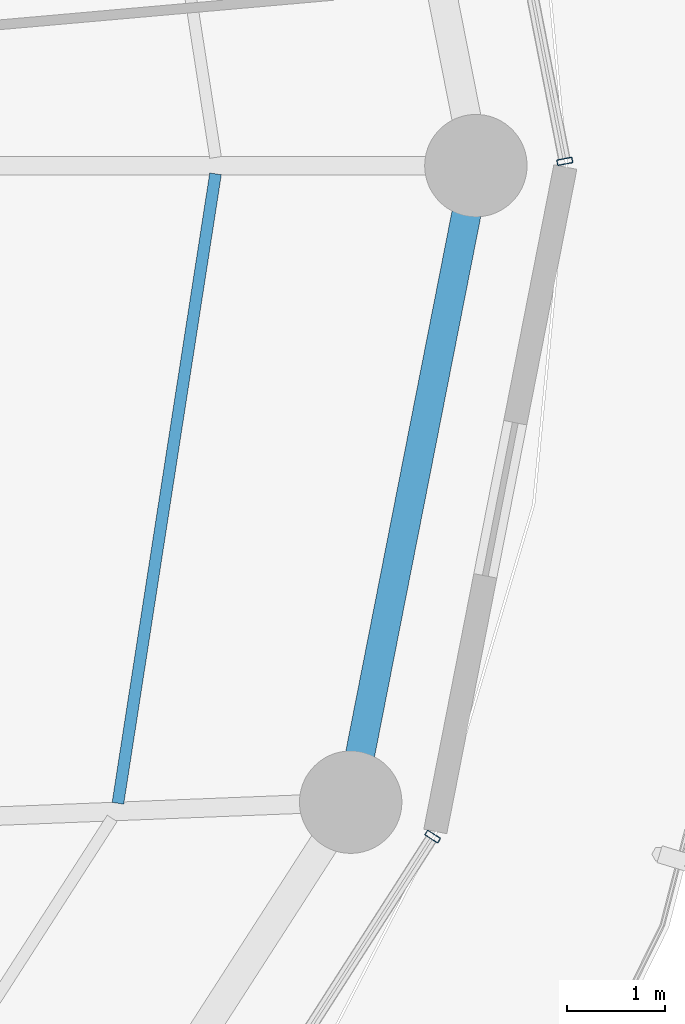
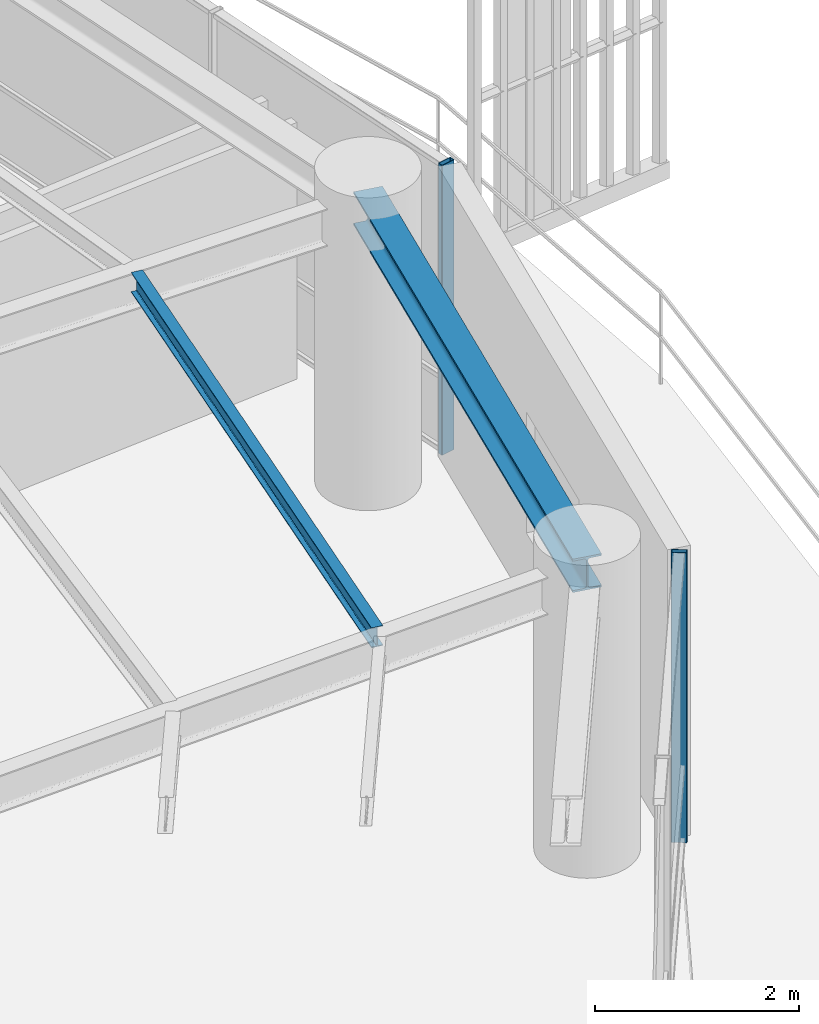
# One storey, part 13 of 30: 2 beams, 2 members, 2 elements without a shape of their own.
"""IFC4 building model written with IfcOpenShell, lengths in metres."""

from ifc_helpers import new_model, si_unit, direction, frame, origin, origin_2d, place, context, subcontext, project, spatial, hollow_rectangle, i_section, extrude, material, layer, layer_set, material_profile, profile_set, type_object, element, aggregate, save


model = new_model("IFC4")

# Units and contexts
model_context = context("Model", 3, precision=1e-05, world=origin(), true_north=direction((0.0, 1.0)))
body_context = subcontext(model_context, "Body", "Model", "MODEL_VIEW")
ifc_project = project(units=[si_unit("LENGTHUNIT", "METRE"), si_unit("AREAUNIT", "SQUARE_METRE"), si_unit("VOLUMEUNIT", "CUBIC_METRE"), si_unit("PLANEANGLEUNIT", "RADIAN"), si_unit("MASSUNIT", "GRAM", prefix="KILO")], contexts=[model_context])

# Site, building, storey
site_placement = place(None, origin())
site = spatial("IfcSite", under=ifc_project, at=site_placement, CompositionType="ELEMENT")
building_placement = place(site_placement, origin())
building = spatial("IfcBuilding", under=site, at=building_placement, Name="Kelanora Arch Commons", CompositionType="ELEMENT")
storey_placement = place(building_placement, frame((0.0, 0.0, 234.449951171875)))
storey = spatial("IfcBuildingStorey", under=building, at=storey_placement, Name="L60", CompositionType="ELEMENT", Elevation=234.449951171875)

# Beams
ifc_material_1 = material(Name="Steel S355", Category="steel")
ifc_material_profile_1 = material_profile(ifc_material_1, i_section(OverallWidth=0.1201171875, OverallDepth=0.239990234375, WebThickness=0.006103515625, FlangeThickness=0.009765625, FilletRadius=0.014892578125, at=origin_2d()), Name="IPE240")
ifc_profile_set_1 = profile_set([ifc_material_profile_1], Name="Steel S355")
beam_type_1 = type_object("IfcBeamType", Name="BM-JST-02", PredefinedType="JOIST", material=ifc_profile_set_1)
beam_1_placement = place(storey_placement, frame((91.6103515625, 51.46337890625, 3.3701171875), z_axis=(0.153256756152, 0.988186402808, 0.0), x_axis=(-0.988186402808, 0.153256756152, 0.0)))
element("IfcBeam", 1, at=beam_1_placement, inside=storey, type_object=beam_type_1, Name="Secondary Chord Joist BJC-34 L60", PredefinedType="JOIST", context=body_context, shape_type="SweptSolid", body=[
    extrude(i_section(OverallWidth=0.1201171875, OverallDepth=0.239990234375, WebThickness=0.006103515625, FlangeThickness=0.009765625, FilletRadius=0.014892578125, at=origin_2d()), origin(), (0.0, 0.0, 1.0), 6.52978515625),
])
ifc_material_profile_2 = material_profile(ifc_material_1, i_section(OverallWidth=0.300048828125, OverallDepth=0.39990234375, WebThickness=0.013427734375, FlangeThickness=0.02392578125, FilletRadius=0.027099609375, at=origin_2d()), Name="HEB400")
ifc_profile_set_2 = profile_set([ifc_material_profile_2], Name="Steel S355")
beam_type_2 = type_object("IfcBeamType", Name="BM-SPN-Z4", PredefinedType="SPANDREL", material=ifc_profile_set_2)
beam_2_placement = place(storey_placement, frame((93.99658203125, 51.474365234375, 3.2900390625), z_axis=(0.192980724826, 0.981202547819, 0.0), x_axis=(-0.981202547819, 0.192980724826, 0.0)))
element("IfcBeam", 2, at=beam_2_placement, inside=storey, type_object=beam_type_2, Name="Perimeter Spandrel Beam BS-34 L60", PredefinedType="SPANDREL", context=body_context, shape_type="SweptSolid", body=[
    extrude(i_section(OverallWidth=0.300048828125, OverallDepth=0.39990234375, WebThickness=0.013427734375, FlangeThickness=0.02392578125, FilletRadius=0.027099609375, at=origin_2d()), origin(), (0.0, 0.0, 1.0), 6.650634765625),
])

# Curtain wall, member
ifc_material_2 = material(Name="Terracotta ceramic-fritted low-E glass and aluminium", Category="masonry")
ifc_layer = layer(ifc_material_2, 0.175048828125)
ifc_layer_set = layer_set([ifc_layer], Name="Terracotta ceramic-fritted low-E glass and aluminium")
curtain_wall_type = type_object("IfcCurtainWallType", Name="CW-SYS-02", PredefinedType="NOTDEFINED", material=ifc_layer_set)
curtain_wall_1_placement = place(storey_placement, origin())
curtain_wall_1 = element("IfcCurtainWall", 3, at=curtain_wall_1_placement, inside=storey, type_object=curtain_wall_type, Name="Unitised Curtain Wall L60-B00", PredefinedType="NOTDEFINED")
ifc_material_3 = material(Name="Powder-coated aluminium terracotta", Category="masonry")
ifc_material_profile_3 = material_profile(ifc_material_3, hollow_rectangle(XDim=0.159912109375, YDim=0.06005859375, WallThickness=0.0048828125, InnerFilletRadius=0.0048828125, OuterFilletRadius=0.010009765625, at=origin_2d()), Name="CWM160x60")
ifc_profile_set_3 = profile_set([ifc_material_profile_3], Name="Powder-coated aluminium terracotta")
member_type = type_object("IfcMemberType", Name="CWM-STD", PredefinedType="MULLION", material=ifc_profile_set_3)
member_1_placement = place(storey_placement, frame((96.19140625, 58.044189453125, 0.0), z_axis=(0.0, 0.0, 1.0), x_axis=(-0.981381438349, -0.192068926335, 0.0)))
member_1 = element("IfcMember", 4, at=member_1_placement, type_object=member_type, Name="CW-02 mullion 1", PredefinedType="MULLION", context=body_context, shape_type="SweptSolid", body=[
    extrude(hollow_rectangle(XDim=0.159912109375, YDim=0.06005859375, WallThickness=0.0048828125, InnerFilletRadius=0.0048828125, OuterFilletRadius=0.010009765625, at=origin_2d()), origin(), (0.0, 0.0, 1.0), 3.47509765625),
])
aggregate(curtain_wall_1, [member_1])

curtain_wall_2_placement = place(storey_placement, origin())
curtain_wall_2 = element("IfcCurtainWall", 5, at=curtain_wall_2_placement, inside=storey, type_object=curtain_wall_type, Name="Unitised Curtain Wall L60-B16", PredefinedType="NOTDEFINED")
member_2_placement = place(storey_placement, frame((94.8369140625, 51.121826171875, 0.0), z_axis=(0.0, 0.0, 1.0), x_axis=(-0.84194757539, 0.539559338994, 0.0)))
member_2 = element("IfcMember", 6, at=member_2_placement, type_object=member_type, Name="CW-02 mullion 3", PredefinedType="MULLION", context=body_context, shape_type="SweptSolid", body=[
    extrude(hollow_rectangle(XDim=0.159912109375, YDim=0.06005859375, WallThickness=0.0048828125, InnerFilletRadius=0.0048828125, OuterFilletRadius=0.010009765625, at=origin_2d()), origin(), (0.0, 0.0, 1.0), 3.47509765625),
])
aggregate(curtain_wall_2, [member_2])

save(model, "model.ifc")
